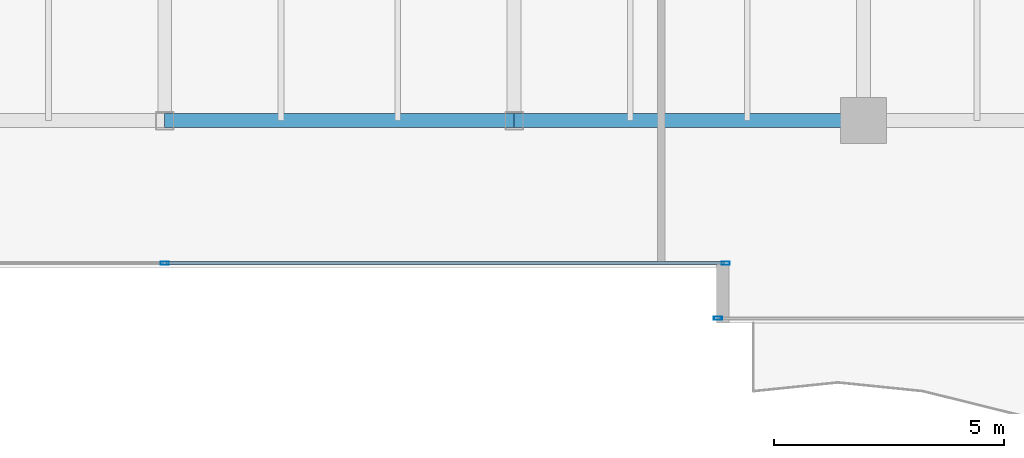
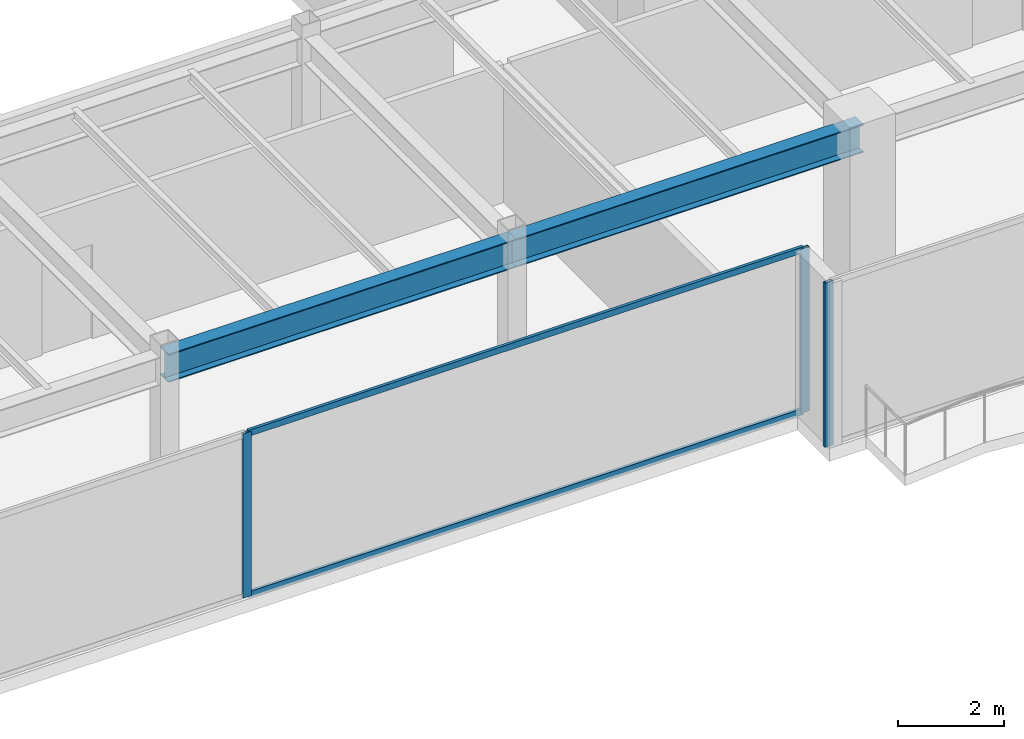
# One storey, part 10 of 34: 5 members, 2 beams, 2 elements without a shape of their own.
"""IFC4 building model written with IfcOpenShell, lengths in metres."""

from ifc_helpers import new_model, si_unit, direction, frame, origin, origin_2d, place, context, subcontext, project, spatial, hollow_rectangle, i_section, extrude, source, transform, mapped, material, layer, layer_set, material_profile, profile_set, type_object, type_shapes, element, aggregate, save


model = new_model("IFC4")

# Units and contexts
model_context = context("Model", 3, precision=1e-05, world=origin(), true_north=direction((0.0, 1.0)))
body_context = subcontext(model_context, "Body", "Model", "MODEL_VIEW")
ifc_project = project(units=[si_unit("LENGTHUNIT", "METRE"), si_unit("AREAUNIT", "SQUARE_METRE"), si_unit("VOLUMEUNIT", "CUBIC_METRE"), si_unit("PLANEANGLEUNIT", "RADIAN"), si_unit("MASSUNIT", "GRAM", prefix="KILO")], contexts=[model_context])

# Site, building, storey
site_placement = place(None, origin())
site = spatial("IfcSite", under=ifc_project, at=site_placement, CompositionType="ELEMENT")
building_placement = place(site_placement, origin())
building = spatial("IfcBuilding", under=site, at=building_placement, Name="Haelvirn Gate Laboratories", CompositionType="ELEMENT")
storey_placement = place(building_placement, frame((0.0, 0.0, 246.5)))
storey = spatial("IfcBuildingStorey", under=building, at=storey_placement, Name="L59", CompositionType="ELEMENT", Elevation=246.5)

# Beams
ifc_material_1 = material(Name="Steel SM355", Category="steel")
ifc_material_profile_1 = material_profile(ifc_material_1, i_section(OverallWidth=0.300048828125, OverallDepth=0.64990234375, WebThickness=0.012939453125, FlangeThickness=0.02197265625, at=origin_2d()), Name="H-650x300x13x22")
ifc_profile_set_1 = profile_set([ifc_material_profile_1], Name="Steel SM355")
beam_type = type_object("IfcBeamType", Name="BM-G-650", PredefinedType="BEAM", material=ifc_profile_set_1)
shared_shape_1 = source(origin(), body_context, "Body", "SweptSolid", [
    extrude(i_section(OverallWidth=0.300048828125, OverallDepth=0.64990234375, WebThickness=0.012939453125, FlangeThickness=0.02197265625, at=origin_2d()), origin(), (0.0, 0.0, 1.0), 7.60009765625),
])
type_shapes(beam_type, [shared_shape_1])
for number, where, z_axis, x_axis, name in (
    (1, (37.39990234375, 7.0, 3.47509765625), (1.0, 0.0, 0.0), (0.0, 1.0, 0.0), "L59 Primary Girder Y7.0 (37.4-45.0)"),
    (2, (45.0, 7.0, 3.47509765625), (1.0, 0.0, 0.0), (0.0, 1.0, 0.0), "L59 Primary Girder Y7.0 (45.0-52.6)"),
):
    element("IfcBeam", number, at=place(storey_placement, frame(where, z_axis=z_axis, x_axis=x_axis)), inside=storey, type_object=beam_type, Name=name, PredefinedType="BEAM", context=body_context, shape_type="MappedRepresentation", body=[
        mapped(shared_shape_1, transform((0.0, 0.0, 0.0), scale=1.0)),
    ])

# Curtain wall, members
ifc_material_2 = material(Name="Anodised bronze unitised aluminium & triple low-E glass", Category="aluminium")
ifc_layer = layer(ifc_material_2, 0.176025390625, Name="CW-SYS-4")
ifc_layer_set = layer_set([ifc_layer], Name="Anodised bronze unitised aluminium & triple low-E glass")
curtain_wall_type = type_object("IfcCurtainWallType", Name="CW-SYS-4", PredefinedType="NOTDEFINED", material=ifc_layer_set)
curtain_wall_1_placement = place(storey_placement, origin())
curtain_wall_1 = element("IfcCurtainWall", 3, at=curtain_wall_1_placement, inside=storey, type_object=curtain_wall_type, Name="L59 Unitised Curtain Wall CW-L59-P0-E02-1", PredefinedType="NOTDEFINED")
ifc_material_3 = material(Name="Extruded aluminium 6063-T6 (anodised bronze)", Category="aluminium")
ifc_material_profile_2 = material_profile(ifc_material_3, hollow_rectangle(XDim=0.06494140625, YDim=0.139892578125, WallThickness=0.00390625, at=origin_2d()), Name="CWT-140x65x4")
ifc_profile_set_2 = profile_set([ifc_material_profile_2], Name="Extruded aluminium 6063-T6 (anodised bronze)")
member_type_1 = type_object("IfcMemberType", Name="CWT-T140", PredefinedType="USERDEFINED", material=ifc_profile_set_2)
shared_shape_2 = source(origin(), body_context, "Body", "SweptSolid", [
    extrude(hollow_rectangle(XDim=0.06494140625, YDim=0.139892578125, WallThickness=0.00390625, at=origin_2d()), origin(), (0.0, 0.0, 1.0), 12.135009765625),
])
type_shapes(member_type_1, [shared_shape_2])
member_1_placement = place(storey_placement, frame((37.43505859375, 3.89990234375, 0.032470703125), z_axis=(1.0, 0.0, 0.0), x_axis=(0.0, 1.0, 0.0)))
member_1 = element("IfcMember", 4, at=member_1_placement, type_object=member_type_1, Name="CW4 transom 2.1", ObjectType="TRANSOM", PredefinedType="USERDEFINED", context=body_context, shape_type="MappedRepresentation", body=[
    mapped(shared_shape_2, transform((0.0, 0.0, 0.0), scale=1.0)),
])
member_2_placement = place(storey_placement, frame((37.43505859375, 3.89990234375, 3.767578125), z_axis=(1.0, 0.0, 0.0), x_axis=(0.0, 1.0, 0.0)))
member_2 = element("IfcMember", 5, at=member_2_placement, type_object=member_type_1, Name="CW4 transom 2.2", ObjectType="TRANSOM", PredefinedType="USERDEFINED", context=body_context, shape_type="MappedRepresentation", body=[
    mapped(shared_shape_2, transform((0.0, 0.0, 0.0), scale=1.0)),
])
ifc_material_profile_3 = material_profile(ifc_material_3, hollow_rectangle(XDim=0.070068359375, YDim=0.179931640625, WallThickness=0.0048828125, at=origin_2d()), Name="CWM-180x70x5")
ifc_profile_set_3 = profile_set([ifc_material_profile_3], Name="Extruded aluminium 6063-T6 (anodised bronze)")
member_type_2 = type_object("IfcMemberType", Name="CWM-T180", PredefinedType="MULLION", material=ifc_profile_set_3)
shared_shape_3 = source(origin(), body_context, "Body", "SweptSolid", [
    extrude(hollow_rectangle(XDim=0.070068359375, YDim=0.179931640625, WallThickness=0.0048828125, at=origin_2d()), origin(), (0.0, 0.0, 1.0), 3.800048828125),
])
type_shapes(member_type_2, [shared_shape_3])
member_3_placement = place(storey_placement, frame((37.39990234375, 3.89990234375, 0.0), z_axis=(0.0, 0.0, 1.0), x_axis=(0.0, 1.0, 0.0)))
member_3 = element("IfcMember", 6, at=member_3_placement, type_object=member_type_2, Name="CW4 mullion 2", PredefinedType="MULLION", context=body_context, shape_type="MappedRepresentation", body=[
    mapped(shared_shape_3, transform((0.0, 0.0, 0.0), scale=1.0)),
])
member_4_placement = place(storey_placement, frame((49.60498046875, 3.89990234375, 0.0), z_axis=(0.0, 0.0, 1.0), x_axis=(0.0, 1.0, 0.0)))
member_4 = element("IfcMember", 7, at=member_4_placement, type_object=member_type_2, Name="CW4 mullion 3", PredefinedType="MULLION", context=body_context, shape_type="MappedRepresentation", body=[
    mapped(shared_shape_3, transform((0.0, 0.0, 0.0), scale=1.0)),
])
aggregate(curtain_wall_1, [member_3, member_4, member_1, member_2])

# Curtain wall, member
curtain_wall_2_placement = place(storey_placement, origin())
curtain_wall_2 = element("IfcCurtainWall", 8, at=curtain_wall_2_placement, inside=storey, type_object=curtain_wall_type, Name="L59 Unitised Curtain Wall CW-L59-P0-E04-1", PredefinedType="NOTDEFINED")
member_5_placement = place(storey_placement, frame((49.43505859375, 2.699951171875, 0.0), z_axis=(0.0, 0.0, 1.0), x_axis=(0.0, 1.0, 0.0)))
member_5 = element("IfcMember", 9, at=member_5_placement, type_object=member_type_2, Name="CW4 mullion 1", PredefinedType="MULLION", context=body_context, shape_type="MappedRepresentation", body=[
    mapped(shared_shape_3, transform((0.0, 0.0, 0.0), scale=1.0)),
])
aggregate(curtain_wall_2, [member_5])

save(model, "model.ifc")
